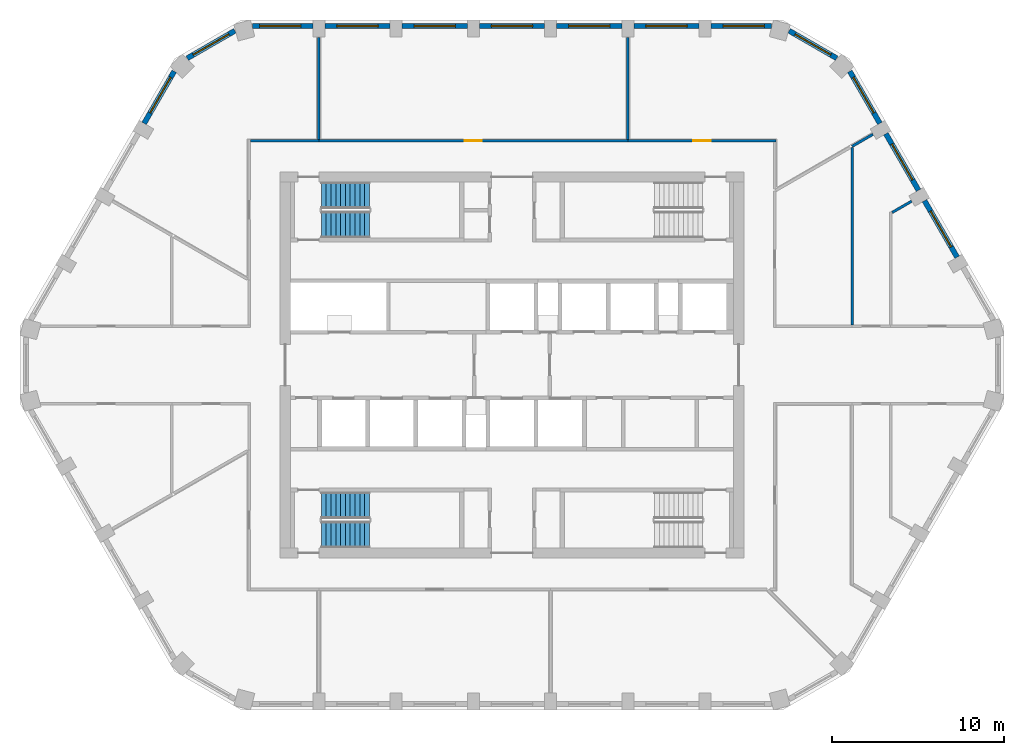
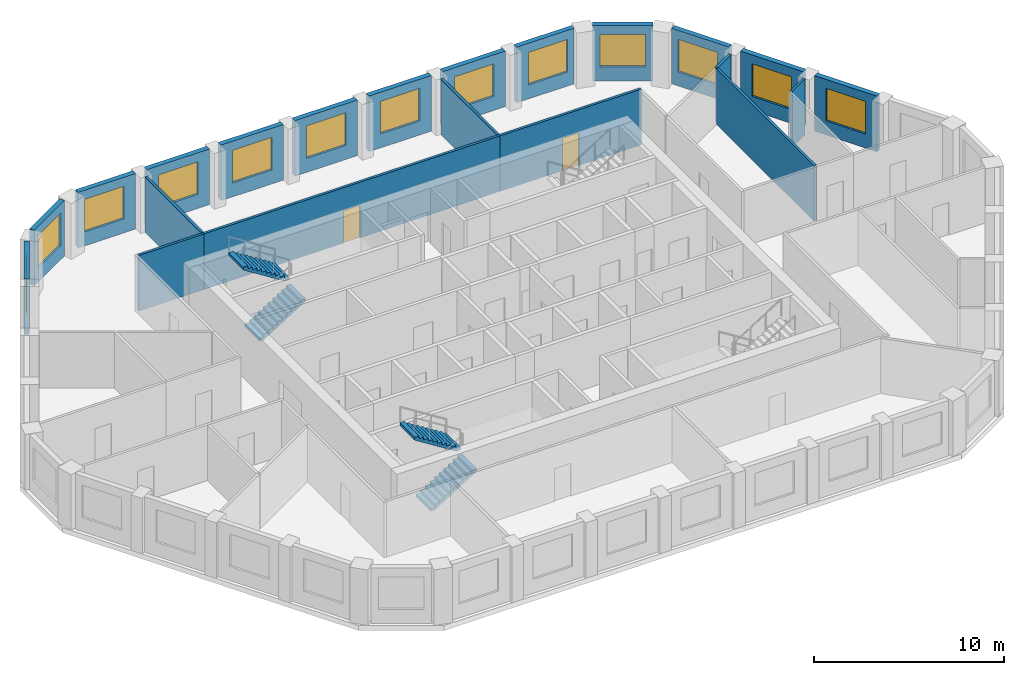
# One storey, part 6 of 11: 21 walls, 13 windows, 4 stair flights, 2 doors, 15 openings, 2 elements without a shape of their own.
"""IFC4 building model written with IfcOpenShell, lengths in metres."""

from ifc_helpers import new_model, si_unit, direction, frame, frame_2d, origin, place, context, subcontext, project, spatial, polyline, rectangle, outline, extrude, material, layer, layer_set, type_object, element, fill, aggregate, save


model = new_model("IFC4")

# Units and contexts
model_context = context("Model", 3, precision=1e-05, world=origin(), true_north=direction((0.0, 1.0)))
body_context = subcontext(model_context, "Body", "Model", "MODEL_VIEW")
ifc_project = project(units=[si_unit("LENGTHUNIT", "METRE"), si_unit("AREAUNIT", "SQUARE_METRE"), si_unit("VOLUMEUNIT", "CUBIC_METRE"), si_unit("PLANEANGLEUNIT", "RADIAN"), si_unit("MASSUNIT", "GRAM", prefix="KILO")], contexts=[model_context])

# Site, building, storey
site_placement = place(None, origin())
site = spatial("IfcSite", under=ifc_project, at=site_placement, CompositionType="ELEMENT")
building_placement = place(site_placement, origin())
building = spatial("IfcBuilding", under=site, at=building_placement, Name="Dhurran Vertical Campus", CompositionType="ELEMENT")
storey_placement = place(building_placement, frame((0.0, 0.0, 274.199951171875)))
storey = spatial("IfcBuildingStorey", under=building, at=storey_placement, Name="L68", CompositionType="ELEMENT", Elevation=274.199951171875)

# Wall, opening, window
ifc_material_1 = material(Name="Precast concrete C50/60", Category="concrete")
ifc_layer_1 = layer(ifc_material_1, 0.300048828125)
ifc_layer_set_1 = layer_set([ifc_layer_1], Name="Precast concrete C50/60")
wall_type_1 = type_object("IfcWallType", Name="Precast spandrel wall 300", PredefinedType="SOLIDWALL", material=ifc_layer_set_1)
wall_1_placement = place(storey_placement, frame((25.918701171875, 6.275634765625, 0.0), z_axis=(0.0, 0.0, 1.0), x_axis=(-0.499982058975, 0.866035761792, 0.0)))
wall_1 = element("IfcWall", 1, at=wall_1_placement, inside=storey, type_object=wall_type_1, Name="EW1 L68.14", PredefinedType="SOLIDWALL", context=body_context, shape_type="SweptSolid", body=[
    extrude(rectangle(XDim=3.799072265625, YDim=0.300048828125, at=frame_2d((1.8994140625, 0.0))), origin(), (0.0, 0.0, 1.0), 3.574951171875),
])
opening_1_placement = place(wall_1_placement, frame((0.699462890625, 0.0, 0.89990234375)))
opening_1 = element("IfcOpeningElement", 2, at=opening_1_placement, cuts=wall_1, Name="Opening WT1", PredefinedType="OPENING", context=body_context, shape_type="SweptSolid", body=[
    extrude(rectangle(XDim=2.39990234375, YDim=2.10009765625, at=frame_2d((1.199951171875, 1.050048828125))), frame((0.0, 0.159912109375, 0.0), z_axis=(0.0, -1.0, 0.0), x_axis=(1.0, 0.0, 0.0)), (0.0, 0.0, 1.0), 0.320068359375),
])
ifc_material_2 = material(Name="Aluminium frame with solar-control glass", Category="aluminium")
window_type = type_object("IfcWindowType", Name="Punched window 2400 x 2100", PartitioningType="SINGLE_PANEL", PredefinedType="WINDOW", material=ifc_material_2)
window_1_placement = place(opening_1_placement, origin())
window_1 = element("IfcWindow", 3, at=window_1_placement, inside=storey, type_object=window_type, Name="WT1 L68.14", OverallHeight=2.10009765625, OverallWidth=2.39990234375, PartitioningType="SINGLE_PANEL", PredefinedType="WINDOW", context=body_context, shape_type="SweptSolid", body=[
    extrude(rectangle(XDim=2.39990234375, YDim=2.10009765625, at=frame_2d((1.199951171875, 1.050048828125))), frame((0.0, 0.030029296875, 0.0), z_axis=(0.0, -1.0, 0.0), x_axis=(1.0, 0.0, 0.0)), (0.0, 0.0, 1.0), 0.06005859375),
])
fill(opening_1, window_1)

wall_2_placement = place(storey_placement, frame((23.668701171875, 10.1728515625, 0.0), z_axis=(0.0, 0.0, 1.0), x_axis=(-0.499982058975, 0.866035761792, 0.0)))
wall_2 = element("IfcWall", 4, at=wall_2_placement, inside=storey, type_object=wall_type_1, Name="EW1 L68.15", PredefinedType="SOLIDWALL", context=body_context, shape_type="SweptSolid", body=[
    extrude(rectangle(XDim=3.799072265625, YDim=0.300048828125, at=frame_2d((1.8994140625, 0.0))), origin(), (0.0, 0.0, 1.0), 3.574951171875),
])
opening_2_placement = place(wall_2_placement, frame((0.699462890625, 0.0, 0.89990234375)))
opening_2 = element("IfcOpeningElement", 5, at=opening_2_placement, cuts=wall_2, Name="Opening WT1", PredefinedType="OPENING", context=body_context, shape_type="SweptSolid", body=[
    extrude(rectangle(XDim=2.39990234375, YDim=2.10009765625, at=frame_2d((1.199951171875, 1.050048828125))), frame((0.0, 0.159912109375, 0.0), z_axis=(0.0, -1.0, 0.0), x_axis=(1.0, 0.0, 0.0)), (0.0, 0.0, 1.0), 0.320068359375),
])
window_2_placement = place(opening_2_placement, origin())
window_2 = element("IfcWindow", 6, at=window_2_placement, inside=storey, type_object=window_type, Name="WT1 L68.15", OverallHeight=2.10009765625, OverallWidth=2.39990234375, PartitioningType="SINGLE_PANEL", PredefinedType="WINDOW", context=body_context, shape_type="SweptSolid", body=[
    extrude(rectangle(XDim=2.39990234375, YDim=2.10009765625, at=frame_2d((1.199951171875, 1.050048828125))), frame((0.0, 0.030029296875, 0.0), z_axis=(0.0, -1.0, 0.0), x_axis=(1.0, 0.0, 0.0)), (0.0, 0.0, 1.0), 0.06005859375),
])
fill(opening_2, window_2)

wall_3_placement = place(storey_placement, frame((21.418701171875, 14.06982421875, 0.0), z_axis=(0.0, 0.0, 1.0), x_axis=(-0.499960102815, 0.866048437209, 0.0)))
wall_3 = element("IfcWall", 7, at=wall_3_placement, inside=storey, type_object=wall_type_1, Name="EW1 L68.16", PredefinedType="SOLIDWALL", context=body_context, shape_type="SweptSolid", body=[
    extrude(rectangle(XDim=3.497802734375, YDim=0.300048828125, at=frame_2d((1.7490234375, 0.0))), origin(), (0.0, 0.0, 1.0), 3.574951171875),
])
opening_3_placement = place(wall_3_placement, frame((0.699462890625, 0.0, 0.89990234375)))
opening_3 = element("IfcOpeningElement", 8, at=opening_3_placement, cuts=wall_3, Name="Opening WT1", PredefinedType="OPENING", context=body_context, shape_type="SweptSolid", body=[
    extrude(rectangle(XDim=2.39990234375, YDim=2.10009765625, at=frame_2d((1.199951171875, 1.050048828125))), frame((0.0, 0.159912109375, 0.0), z_axis=(0.0, -1.0, 0.0), x_axis=(1.0, 0.0, 0.0)), (0.0, 0.0, 1.0), 0.320068359375),
])
window_3_placement = place(opening_3_placement, origin())
window_3 = element("IfcWindow", 9, at=window_3_placement, inside=storey, type_object=window_type, Name="WT1 L68.16", OverallHeight=2.10009765625, OverallWidth=2.39990234375, PartitioningType="SINGLE_PANEL", PredefinedType="WINDOW", context=body_context, shape_type="SweptSolid", body=[
    extrude(rectangle(XDim=2.39990234375, YDim=2.10009765625, at=frame_2d((1.199951171875, 1.050048828125))), frame((0.0, 0.030029296875, 0.0), z_axis=(0.0, -1.0, 0.0), x_axis=(1.0, 0.0, 0.0)), (0.0, 0.0, 1.0), 0.06005859375),
])
fill(opening_3, window_3)

wall_4_placement = place(storey_placement, frame((18.90771484375, 17.861328125, 0.0), z_axis=(0.0, 0.0, 1.0), x_axis=(-0.866025316205, 0.500000151692, 0.0)))
wall_4 = element("IfcWall", 10, at=wall_4_placement, inside=storey, type_object=wall_type_1, Name="EW1 L68.17", PredefinedType="SOLIDWALL", context=body_context, shape_type="SweptSolid", body=[
    extrude(rectangle(XDim=3.1962890625, YDim=0.300048828125, at=frame_2d((1.59814453125, 0.0))), origin(), (0.0, 0.0, 1.0), 3.574951171875),
])
opening_4_placement = place(wall_4_placement, frame((0.398193359375, 0.0, 0.89990234375)))
opening_4 = element("IfcOpeningElement", 11, at=opening_4_placement, cuts=wall_4, Name="Opening WT1", PredefinedType="OPENING", context=body_context, shape_type="SweptSolid", body=[
    extrude(rectangle(XDim=2.39990234375, YDim=2.10009765625, at=frame_2d((1.199951171875, 1.050048828125))), frame((0.0, 0.159912109375, 0.0), z_axis=(0.0, -1.0, 0.0), x_axis=(1.0, 0.0, 0.0)), (0.0, 0.0, 1.0), 0.320068359375),
])
window_4_placement = place(opening_4_placement, origin())
window_4 = element("IfcWindow", 12, at=window_4_placement, inside=storey, type_object=window_type, Name="WT1 L68.17", OverallHeight=2.10009765625, OverallWidth=2.39990234375, PartitioningType="SINGLE_PANEL", PredefinedType="WINDOW", context=body_context, shape_type="SweptSolid", body=[
    extrude(rectangle(XDim=2.39990234375, YDim=2.10009765625, at=frame_2d((1.199951171875, 1.050048828125))), frame((0.0, 0.030029296875, 0.0), z_axis=(0.0, -1.0, 0.0), x_axis=(1.0, 0.0, 0.0)), (0.0, 0.0, 1.0), 0.06005859375),
])
fill(opening_4, window_4)

wall_5_placement = place(storey_placement, frame((15.09814453125, 19.738525390625, 0.0), z_axis=(0.0, 0.0, 1.0), x_axis=(-1.0, 0.0, 0.0)))
wall_5 = element("IfcWall", 13, at=wall_5_placement, inside=storey, type_object=wall_type_1, Name="EW1 L68.18", PredefinedType="SOLIDWALL", context=body_context, shape_type="SweptSolid", body=[
    extrude(rectangle(XDim=3.49755859375, YDim=0.300048828125, at=frame_2d((1.748779296875, 0.0))), origin(), (0.0, 0.0, 1.0), 3.574951171875),
])
opening_5_placement = place(wall_5_placement, frame((0.398193359375, 0.0, 0.89990234375)))
opening_5 = element("IfcOpeningElement", 14, at=opening_5_placement, cuts=wall_5, Name="Opening WT1", PredefinedType="OPENING", context=body_context, shape_type="SweptSolid", body=[
    extrude(rectangle(XDim=2.39990234375, YDim=2.10009765625, at=frame_2d((1.199951171875, 1.050048828125))), frame((0.0, 0.159912109375, 0.0), z_axis=(0.0, -1.0, 0.0), x_axis=(1.0, 0.0, 0.0)), (0.0, 0.0, 1.0), 0.320068359375),
])
window_5_placement = place(opening_5_placement, origin())
window_5 = element("IfcWindow", 15, at=window_5_placement, inside=storey, type_object=window_type, Name="WT1 L68.18", OverallHeight=2.10009765625, OverallWidth=2.39990234375, PartitioningType="SINGLE_PANEL", PredefinedType="WINDOW", context=body_context, shape_type="SweptSolid", body=[
    extrude(rectangle(XDim=2.39990234375, YDim=2.10009765625, at=frame_2d((1.199951171875, 1.050048828125))), frame((0.0, 0.030029296875, 0.0), z_axis=(0.0, -1.0, 0.0), x_axis=(1.0, 0.0, 0.0)), (0.0, 0.0, 1.0), 0.06005859375),
])
fill(opening_5, window_5)

wall_6_placement = place(storey_placement, frame((10.8994140625, 19.738525390625, 0.0), z_axis=(0.0, 0.0, 1.0), x_axis=(-1.0, 0.0, 0.0)))
wall_6 = element("IfcWall", 16, at=wall_6_placement, inside=storey, type_object=wall_type_1, Name="EW1 L68.19", PredefinedType="SOLIDWALL", context=body_context, shape_type="SweptSolid", body=[
    extrude(rectangle(XDim=3.798828125, YDim=0.300048828125, at=frame_2d((1.8994140625, 0.0))), origin(), (0.0, 0.0, 1.0), 3.574951171875),
])
opening_6_placement = place(wall_6_placement, frame((0.699462890625, 0.0, 0.89990234375)))
opening_6 = element("IfcOpeningElement", 17, at=opening_6_placement, cuts=wall_6, Name="Opening WT1", PredefinedType="OPENING", context=body_context, shape_type="SweptSolid", body=[
    extrude(rectangle(XDim=2.39990234375, YDim=2.10009765625, at=frame_2d((1.199951171875, 1.050048828125))), frame((0.0, 0.159912109375, 0.0), z_axis=(0.0, -1.0, 0.0), x_axis=(1.0, 0.0, 0.0)), (0.0, 0.0, 1.0), 0.320068359375),
])
window_6_placement = place(opening_6_placement, origin())
window_6 = element("IfcWindow", 18, at=window_6_placement, inside=storey, type_object=window_type, Name="WT1 L68.19", OverallHeight=2.10009765625, OverallWidth=2.39990234375, PartitioningType="SINGLE_PANEL", PredefinedType="WINDOW", context=body_context, shape_type="SweptSolid", body=[
    extrude(rectangle(XDim=2.39990234375, YDim=2.10009765625, at=frame_2d((1.199951171875, 1.050048828125))), frame((0.0, 0.030029296875, 0.0), z_axis=(0.0, -1.0, 0.0), x_axis=(1.0, 0.0, 0.0)), (0.0, 0.0, 1.0), 0.06005859375),
])
fill(opening_6, window_6)

wall_7_placement = place(storey_placement, frame((6.3994140625, 19.738525390625, 0.0), z_axis=(0.0, 0.0, 1.0), x_axis=(-1.0, 0.0, 0.0)))
wall_7 = element("IfcWall", 19, at=wall_7_placement, inside=storey, type_object=wall_type_1, Name="EW1 L68.20", PredefinedType="SOLIDWALL", context=body_context, shape_type="SweptSolid", body=[
    extrude(rectangle(XDim=3.798828125, YDim=0.300048828125, at=frame_2d((1.8994140625, 0.0))), origin(), (0.0, 0.0, 1.0), 3.574951171875),
])
opening_7_placement = place(wall_7_placement, frame((0.699462890625, 0.0, 0.89990234375)))
opening_7 = element("IfcOpeningElement", 20, at=opening_7_placement, cuts=wall_7, Name="Opening WT1", PredefinedType="OPENING", context=body_context, shape_type="SweptSolid", body=[
    extrude(rectangle(XDim=2.39990234375, YDim=2.10009765625, at=frame_2d((1.199951171875, 1.050048828125))), frame((0.0, 0.159912109375, 0.0), z_axis=(0.0, -1.0, 0.0), x_axis=(1.0, 0.0, 0.0)), (0.0, 0.0, 1.0), 0.320068359375),
])
window_7_placement = place(opening_7_placement, origin())
window_7 = element("IfcWindow", 21, at=window_7_placement, inside=storey, type_object=window_type, Name="WT1 L68.20", OverallHeight=2.10009765625, OverallWidth=2.39990234375, PartitioningType="SINGLE_PANEL", PredefinedType="WINDOW", context=body_context, shape_type="SweptSolid", body=[
    extrude(rectangle(XDim=2.39990234375, YDim=2.10009765625, at=frame_2d((1.199951171875, 1.050048828125))), frame((0.0, 0.030029296875, 0.0), z_axis=(0.0, -1.0, 0.0), x_axis=(1.0, 0.0, 0.0)), (0.0, 0.0, 1.0), 0.06005859375),
])
fill(opening_7, window_7)

wall_8_placement = place(storey_placement, frame((1.8994140625, 19.738525390625, 0.0), z_axis=(0.0, 0.0, 1.0), x_axis=(-1.0, 0.0, 0.0)))
wall_8 = element("IfcWall", 22, at=wall_8_placement, inside=storey, type_object=wall_type_1, Name="EW1 L68.21", PredefinedType="SOLIDWALL", context=body_context, shape_type="SweptSolid", body=[
    extrude(rectangle(XDim=3.798828125, YDim=0.300048828125, at=frame_2d((1.8994140625, 0.0))), origin(), (0.0, 0.0, 1.0), 3.574951171875),
])
opening_8_placement = place(wall_8_placement, frame((0.699462890625, 0.0, 0.89990234375)))
opening_8 = element("IfcOpeningElement", 23, at=opening_8_placement, cuts=wall_8, Name="Opening WT1", PredefinedType="OPENING", context=body_context, shape_type="SweptSolid", body=[
    extrude(rectangle(XDim=2.39990234375, YDim=2.10009765625, at=frame_2d((1.199951171875, 1.050048828125))), frame((0.0, 0.159912109375, 0.0), z_axis=(0.0, -1.0, 0.0), x_axis=(1.0, 0.0, 0.0)), (0.0, 0.0, 1.0), 0.320068359375),
])
window_8_placement = place(opening_8_placement, origin())
window_8 = element("IfcWindow", 24, at=window_8_placement, inside=storey, type_object=window_type, Name="WT1 L68.21", OverallHeight=2.10009765625, OverallWidth=2.39990234375, PartitioningType="SINGLE_PANEL", PredefinedType="WINDOW", context=body_context, shape_type="SweptSolid", body=[
    extrude(rectangle(XDim=2.39990234375, YDim=2.10009765625, at=frame_2d((1.199951171875, 1.050048828125))), frame((0.0, 0.030029296875, 0.0), z_axis=(0.0, -1.0, 0.0), x_axis=(1.0, 0.0, 0.0)), (0.0, 0.0, 1.0), 0.06005859375),
])
fill(opening_8, window_8)

wall_9_placement = place(storey_placement, frame((-2.6005859375, 19.738525390625, 0.0), z_axis=(0.0, 0.0, 1.0), x_axis=(-1.0, 0.0, 0.0)))
wall_9 = element("IfcWall", 25, at=wall_9_placement, inside=storey, type_object=wall_type_1, Name="EW1 L68.22", PredefinedType="SOLIDWALL", context=body_context, shape_type="SweptSolid", body=[
    extrude(rectangle(XDim=3.798828125, YDim=0.300048828125, at=frame_2d((1.8994140625, 0.0))), origin(), (0.0, 0.0, 1.0), 3.574951171875),
])
opening_9_placement = place(wall_9_placement, frame((0.699462890625, 0.0, 0.89990234375)))
opening_9 = element("IfcOpeningElement", 26, at=opening_9_placement, cuts=wall_9, Name="Opening WT1", PredefinedType="OPENING", context=body_context, shape_type="SweptSolid", body=[
    extrude(rectangle(XDim=2.39990234375, YDim=2.10009765625, at=frame_2d((1.199951171875, 1.050048828125))), frame((0.0, 0.159912109375, 0.0), z_axis=(0.0, -1.0, 0.0), x_axis=(1.0, 0.0, 0.0)), (0.0, 0.0, 1.0), 0.320068359375),
])
window_9_placement = place(opening_9_placement, origin())
window_9 = element("IfcWindow", 27, at=window_9_placement, inside=storey, type_object=window_type, Name="WT1 L68.22", OverallHeight=2.10009765625, OverallWidth=2.39990234375, PartitioningType="SINGLE_PANEL", PredefinedType="WINDOW", context=body_context, shape_type="SweptSolid", body=[
    extrude(rectangle(XDim=2.39990234375, YDim=2.10009765625, at=frame_2d((1.199951171875, 1.050048828125))), frame((0.0, 0.030029296875, 0.0), z_axis=(0.0, -1.0, 0.0), x_axis=(1.0, 0.0, 0.0)), (0.0, 0.0, 1.0), 0.06005859375),
])
fill(opening_9, window_9)

wall_10_placement = place(storey_placement, frame((-7.1005859375, 19.738525390625, 0.0), z_axis=(0.0, 0.0, 1.0), x_axis=(-1.0, 0.0, 0.0)))
wall_10 = element("IfcWall", 28, at=wall_10_placement, inside=storey, type_object=wall_type_1, Name="EW1 L68.23", PredefinedType="SOLIDWALL", context=body_context, shape_type="SweptSolid", body=[
    extrude(rectangle(XDim=3.798828125, YDim=0.300048828125, at=frame_2d((1.8994140625, 0.0))), origin(), (0.0, 0.0, 1.0), 3.574951171875),
])
opening_10_placement = place(wall_10_placement, frame((0.699462890625, 0.0, 0.89990234375)))
opening_10 = element("IfcOpeningElement", 29, at=opening_10_placement, cuts=wall_10, Name="Opening WT1", PredefinedType="OPENING", context=body_context, shape_type="SweptSolid", body=[
    extrude(rectangle(XDim=2.39990234375, YDim=2.10009765625, at=frame_2d((1.199951171875, 1.050048828125))), frame((0.0, 0.159912109375, 0.0), z_axis=(0.0, -1.0, 0.0), x_axis=(1.0, 0.0, 0.0)), (0.0, 0.0, 1.0), 0.320068359375),
])
window_10_placement = place(opening_10_placement, origin())
window_10 = element("IfcWindow", 30, at=window_10_placement, inside=storey, type_object=window_type, Name="WT1 L68.23", OverallHeight=2.10009765625, OverallWidth=2.39990234375, PartitioningType="SINGLE_PANEL", PredefinedType="WINDOW", context=body_context, shape_type="SweptSolid", body=[
    extrude(rectangle(XDim=2.39990234375, YDim=2.10009765625, at=frame_2d((1.199951171875, 1.050048828125))), frame((0.0, 0.030029296875, 0.0), z_axis=(0.0, -1.0, 0.0), x_axis=(1.0, 0.0, 0.0)), (0.0, 0.0, 1.0), 0.06005859375),
])
fill(opening_10, window_10)

wall_11_placement = place(storey_placement, frame((-11.6005859375, 19.738525390625, 0.0), z_axis=(0.0, 0.0, 1.0), x_axis=(-1.0, 0.0, 0.0)))
wall_11 = element("IfcWall", 31, at=wall_11_placement, inside=storey, type_object=wall_type_1, Name="EW1 L68.24", PredefinedType="SOLIDWALL", context=body_context, shape_type="SweptSolid", body=[
    extrude(rectangle(XDim=3.49755859375, YDim=0.300048828125, at=frame_2d((1.748779296875, 0.0))), origin(), (0.0, 0.0, 1.0), 3.574951171875),
])
opening_11_placement = place(wall_11_placement, frame((0.699462890625, 0.0, 0.89990234375)))
opening_11 = element("IfcOpeningElement", 32, at=opening_11_placement, cuts=wall_11, Name="Opening WT1", PredefinedType="OPENING", context=body_context, shape_type="SweptSolid", body=[
    extrude(rectangle(XDim=2.39990234375, YDim=2.10009765625, at=frame_2d((1.199951171875, 1.050048828125))), frame((0.0, 0.159912109375, 0.0), z_axis=(0.0, -1.0, 0.0), x_axis=(1.0, 0.0, 0.0)), (0.0, 0.0, 1.0), 0.320068359375),
])
window_11_placement = place(opening_11_placement, origin())
window_11 = element("IfcWindow", 33, at=window_11_placement, inside=storey, type_object=window_type, Name="WT1 L68.24", OverallHeight=2.10009765625, OverallWidth=2.39990234375, PartitioningType="SINGLE_PANEL", PredefinedType="WINDOW", context=body_context, shape_type="SweptSolid", body=[
    extrude(rectangle(XDim=2.39990234375, YDim=2.10009765625, at=frame_2d((1.199951171875, 1.050048828125))), frame((0.0, 0.030029296875, 0.0), z_axis=(0.0, -1.0, 0.0), x_axis=(1.0, 0.0, 0.0)), (0.0, 0.0, 1.0), 0.06005859375),
])
fill(opening_11, window_11)

wall_12_placement = place(storey_placement, frame((-16.1396484375, 19.45947265625, 0.0), z_axis=(0.0, 0.0, 1.0), x_axis=(-0.866025316205, -0.500000151692, 0.0)))
wall_12 = element("IfcWall", 34, at=wall_12_placement, inside=storey, type_object=wall_type_1, Name="EW1 L68.25", PredefinedType="SOLIDWALL", context=body_context, shape_type="SweptSolid", body=[
    extrude(rectangle(XDim=3.1962890625, YDim=0.300048828125, at=frame_2d((1.59814453125, 0.0))), origin(), (0.0, 0.0, 1.0), 3.574951171875),
])
opening_12_placement = place(wall_12_placement, frame((0.398193359375, 0.0, 0.89990234375)))
opening_12 = element("IfcOpeningElement", 35, at=opening_12_placement, cuts=wall_12, Name="Opening WT1", PredefinedType="OPENING", context=body_context, shape_type="SweptSolid", body=[
    extrude(rectangle(XDim=2.39990234375, YDim=2.10009765625, at=frame_2d((1.199951171875, 1.050048828125))), frame((0.0, 0.159912109375, 0.0), z_axis=(0.0, -1.0, 0.0), x_axis=(1.0, 0.0, 0.0)), (0.0, 0.0, 1.0), 0.320068359375),
])
window_12_placement = place(opening_12_placement, origin())
window_12 = element("IfcWindow", 36, at=window_12_placement, inside=storey, type_object=window_type, Name="WT1 L68.25", OverallHeight=2.10009765625, OverallWidth=2.39990234375, PartitioningType="SINGLE_PANEL", PredefinedType="WINDOW", context=body_context, shape_type="SweptSolid", body=[
    extrude(rectangle(XDim=2.39990234375, YDim=2.10009765625, at=frame_2d((1.199951171875, 1.050048828125))), frame((0.0, 0.030029296875, 0.0), z_axis=(0.0, -1.0, 0.0), x_axis=(1.0, 0.0, 0.0)), (0.0, 0.0, 1.0), 0.06005859375),
])
fill(opening_12, window_12)

wall_13_placement = place(storey_placement, frame((-19.669921875, 17.09912109375, 0.0), z_axis=(0.0, 0.0, 1.0), x_axis=(-0.499960102815, -0.866048437209, 0.0)))
wall_13 = element("IfcWall", 37, at=wall_13_placement, inside=storey, type_object=wall_type_1, Name="EW1 L68.26", PredefinedType="SOLIDWALL", context=body_context, shape_type="SweptSolid", body=[
    extrude(rectangle(XDim=3.497802734375, YDim=0.300048828125, at=frame_2d((1.7490234375, 0.0))), origin(), (0.0, 0.0, 1.0), 3.574951171875),
])
opening_13_placement = place(wall_13_placement, frame((0.398193359375, 0.0, 0.89990234375)))
opening_13 = element("IfcOpeningElement", 38, at=opening_13_placement, cuts=wall_13, Name="Opening WT1", PredefinedType="OPENING", context=body_context, shape_type="SweptSolid", body=[
    extrude(rectangle(XDim=2.39990234375, YDim=2.10009765625, at=frame_2d((1.199951171875, 1.050048828125))), frame((0.0, 0.159912109375, 0.0), z_axis=(0.0, -1.0, 0.0), x_axis=(1.0, 0.0, 0.0)), (0.0, 0.0, 1.0), 0.320068359375),
])
window_13_placement = place(opening_13_placement, origin())
window_13 = element("IfcWindow", 39, at=window_13_placement, inside=storey, type_object=window_type, Name="WT1 L68.26", OverallHeight=2.10009765625, OverallWidth=2.39990234375, PartitioningType="SINGLE_PANEL", PredefinedType="WINDOW", context=body_context, shape_type="SweptSolid", body=[
    extrude(rectangle(XDim=2.39990234375, YDim=2.10009765625, at=frame_2d((1.199951171875, 1.050048828125))), frame((0.0, 0.030029296875, 0.0), z_axis=(0.0, -1.0, 0.0), x_axis=(1.0, 0.0, 0.0)), (0.0, 0.0, 1.0), 0.06005859375),
])
fill(opening_13, window_13)

# Wall
ifc_material_3 = material(Name="Gypsum board corridor wall on steel studs", Category="steel")
ifc_layer_2 = layer(ifc_material_3, 0.14990234375)
ifc_layer_set_2 = layer_set([ifc_layer_2], Name="Gypsum board corridor wall on steel studs")
wall_type_2 = type_object("IfcWallType", Name="fl-CW-150 corridor wall", PredefinedType="PARTITIONING", material=ifc_layer_set_2)
wall_14_placement = place(storey_placement, frame((-11.25, 13.050048828125, 0.0), z_axis=(0.0, 0.0, 1.0), x_axis=(-1.0, 0.0, 0.0)))
element("IfcWall", 40, at=wall_14_placement, inside=storey, type_object=wall_type_2, Name="Partition 68-16", PredefinedType="PARTITIONING", context=body_context, shape_type="SweptSolid", body=[
    extrude(rectangle(XDim=3.97509765625, YDim=0.14990234375, at=frame_2d((1.987548828125, 0.0))), origin(), (0.0, 0.0, 1.0), 3.574951171875),
])

# Wall, opening, door
wall_15_placement = place(storey_placement, frame((6.75, 13.050048828125, 0.0), z_axis=(0.0, 0.0, 1.0), x_axis=(-1.0, 0.0, 0.0)))
wall_15 = element("IfcWall", 41, at=wall_15_placement, inside=storey, type_object=wall_type_2, Name="Partition 68-20", PredefinedType="PARTITIONING", context=body_context, shape_type="SweptSolid", body=[
    extrude(rectangle(XDim=18.0, YDim=0.14990234375, at=frame_2d((9.0, 0.0))), origin(), (0.0, 0.0, 1.0), 3.574951171875),
])
opening_14_placement = place(wall_15_placement, frame((8.5, 0.0, 0.0)))
opening_14 = element("IfcOpeningElement", 42, at=opening_14_placement, cuts=wall_15, Name="Opening T20.08", PredefinedType="OPENING", context=body_context, shape_type="SweptSolid", body=[
    extrude(rectangle(XDim=1.0, YDim=2.10009765625, at=frame_2d((0.5, 1.050048828125))), frame((0.0, 0.0849609375, 0.0), z_axis=(0.0, -1.0, 0.0), x_axis=(1.0, 0.0, 0.0)), (0.0, 0.0, 1.0), 0.169921875),
])
ifc_material_4 = material(Name="Solid-core timber door set, fire-rated", Category="wood")
door_type = type_object("IfcDoorType", Name="fl-D-1000x2100", OperationType="SINGLE_SWING_LEFT", PredefinedType="DOOR", material=ifc_material_4)
door_1_placement = place(opening_14_placement, origin())
door_1 = element("IfcDoor", 43, at=door_1_placement, inside=storey, type_object=door_type, Name="Door 68.08", OperationType="SINGLE_SWING_RIGHT", OverallHeight=2.10009765625, OverallWidth=1.0, PredefinedType="DOOR", context=body_context, shape_type="SweptSolid", body=[
    extrude(rectangle(XDim=1.0, YDim=2.10009765625, at=frame_2d((0.5, 1.050048828125))), frame((0.0, 0.02490234375, 0.0), z_axis=(0.0, -1.0, 0.0), x_axis=(1.0, 0.0, 0.0)), (0.0, 0.0, 1.0), 0.050048828125),
])
fill(opening_14, door_1)

wall_16_placement = place(storey_placement, frame((15.375, 13.050048828125, 0.0), z_axis=(0.0, 0.0, 1.0), x_axis=(-1.0, 0.0, 0.0)))
wall_16 = element("IfcWall", 44, at=wall_16_placement, inside=storey, type_object=wall_type_2, Name="Partition 68-24", PredefinedType="PARTITIONING", context=body_context, shape_type="SweptSolid", body=[
    extrude(rectangle(XDim=8.625, YDim=0.14990234375, at=frame_2d((4.3125, 0.0))), origin(), (0.0, 0.0, 1.0), 3.574951171875),
])
opening_15_placement = place(wall_16_placement, frame((3.8125, 0.0, 0.0)))
opening_15 = element("IfcOpeningElement", 45, at=opening_15_placement, cuts=wall_16, Name="Opening T20.10", PredefinedType="OPENING", context=body_context, shape_type="SweptSolid", body=[
    extrude(rectangle(XDim=1.0, YDim=2.10009765625, at=frame_2d((0.5, 1.050048828125))), frame((0.0, 0.0849609375, 0.0), z_axis=(0.0, -1.0, 0.0), x_axis=(1.0, 0.0, 0.0)), (0.0, 0.0, 1.0), 0.169921875),
])
door_2_placement = place(opening_15_placement, origin())
door_2 = element("IfcDoor", 46, at=door_2_placement, inside=storey, type_object=door_type, Name="Door 68.10", OperationType="SINGLE_SWING_RIGHT", OverallHeight=2.10009765625, OverallWidth=1.0, PredefinedType="DOOR", context=body_context, shape_type="SweptSolid", body=[
    extrude(rectangle(XDim=1.0, YDim=2.10009765625, at=frame_2d((0.5, 1.050048828125))), frame((0.0, 0.02490234375, 0.0), z_axis=(0.0, -1.0, 0.0), x_axis=(1.0, 0.0, 0.0)), (0.0, 0.0, 1.0), 0.050048828125),
])
fill(opening_15, door_2)

# Walls
ifc_material_5 = material(Name="Gypsum board partition on steel studs", Category="steel")
ifc_layer_3 = layer(ifc_material_5, 0.14990234375)
ifc_layer_set_3 = layer_set([ifc_layer_3], Name="Gypsum board partition on steel studs")
wall_type_3 = type_object("IfcWallType", Name="fl-PW-150 fixed partition", PredefinedType="PARTITIONING", material=ifc_layer_set_3)
for number, where, z_axis, x_axis, name in (
    (47, (-11.25, 19.068603515625, 0.0), (0.0, 0.0, 1.0), (0.0, -1.0, 0.0), "Partition 68-19"),
    (48, (6.75, 19.068603515625, 0.0), (0.0, 0.0, 1.0), (0.0, -1.0, 0.0), "Partition 68-23"),
):
    element("IfcWall", number, at=place(storey_placement, frame(where, z_axis=z_axis, x_axis=x_axis)), inside=storey, type_object=wall_type_3, Name=name, PredefinedType="PARTITIONING", context=body_context, shape_type="SweptSolid", body=[
        extrude(rectangle(XDim=5.943603515625, YDim=0.14990234375, at=frame_2d((2.9716796875, 0.0))), origin(), (0.0, 0.0, 1.0), 3.574951171875),
    ])
wall_17_placement = place(storey_placement, frame((19.800048828125, 12.655029296875, 0.0), z_axis=(0.0, 0.0, 1.0), x_axis=(0.0, -1.0, 0.0)))
element("IfcWall", 49, at=wall_17_placement, inside=storey, type_object=wall_type_3, Name="Partition 68-36", PredefinedType="PARTITIONING", context=body_context, shape_type="SweptSolid", body=[
    extrude(rectangle(XDim=10.330078125, YDim=0.14990234375, at=frame_2d((5.1650390625, 0.0))), origin(), (0.0, 0.0, 1.0), 3.574951171875),
])
wall_18_placement = place(storey_placement, frame((21.013916015625, 13.43115234375, 0.0), z_axis=(0.0, 0.0, 1.0), x_axis=(-0.865918715181, -0.500184744569, 0.0)))
element("IfcWall", 50, at=wall_18_placement, inside=storey, type_object=wall_type_3, Name="Partition 68-38", PredefinedType="PARTITIONING", context=body_context, shape_type="SweptSolid", body=[
    extrude(rectangle(XDim=1.40185546875, YDim=0.14990234375, at=frame_2d((0.700927734375, 0.0))), origin(), (0.0, 0.0, 1.0), 3.574951171875),
])
wall_19_placement = place(storey_placement, frame((23.263916015625, 9.5341796875, 0.0), z_axis=(0.0, 0.0, 1.0), x_axis=(-0.865960725898, -0.500112008656, 0.0)))
element("IfcWall", 51, at=wall_19_placement, inside=storey, type_object=wall_type_3, Name="Partition 68-44", PredefinedType="PARTITIONING", context=body_context, shape_type="SweptSolid", body=[
    extrude(rectangle(XDim=1.302001953125, YDim=0.14990234375, at=frame_2d((0.65087890625, 0.0))), origin(), (0.0, 0.0, 1.0), 3.574951171875),
])

# Stair, stair flights
ifc_material_6 = material(Name="Concrete C40/50", Category="concrete")
stair_type = type_object("IfcStairType", Name="co-ST-CORE", PredefinedType="HALF_TURN_STAIR", material=ifc_material_6)
stair_1_placement = place(storey_placement, origin())
stair_1 = element("IfcStair", 52, at=stair_1_placement, inside=storey, type_object=stair_type, Name="L68 Protected exit stair ST1", PredefinedType="HALF_TURN_STAIR")
ifc_material_7 = material(Name="Concrete C40/50", Category="concrete")
stair_flight_type = type_object("IfcStairFlightType", Name="co-SFL-RC", PredefinedType="STRAIGHT", material=ifc_material_7)
stair_flight_1_placement = place(storey_placement, frame((-11.10009765625, 8.175048828125, 0.0), z_axis=(0.0, 0.0, 1.0), x_axis=(1.0, 0.0, 0.0)))
stair_flight_1 = element("IfcStairFlight", 53, at=stair_flight_1_placement, type_object=stair_flight_type, Name="ST1 flight 1", NumberOfRisers=11, NumberOfTreads=10, PredefinedType="STRAIGHT", RiserHeight=0.177272727, TreadLength=0.28, context=body_context, shape_type="SweptSolid", body=[
    extrude(outline(polyline([(0.0, 0.0), (0.0, 0.17724609375), (0.280029296875, 0.17724609375), (0.280029296875, 0.3544921875), (0.56005859375, 0.3544921875), (0.56005859375, 0.53173828125), (0.840087890625, 0.53173828125), (0.840087890625, 0.708984375), (1.1201171875, 0.708984375), (1.1201171875, 0.886474609375), (1.39990234375, 0.886474609375), (1.39990234375, 1.063720703125), (1.679931640625, 1.063720703125), (1.679931640625, 1.240966796875), (1.9599609375, 1.240966796875), (1.9599609375, 1.418212890625), (2.239990234375, 1.418212890625), (2.239990234375, 1.595458984375), (2.52001953125, 1.595458984375), (2.52001953125, 1.772705078125), (2.800048828125, 1.772705078125), (2.800048828125, 1.949951171875), (2.800048828125, 1.59521484375), (0.2802734375, 0.0), (0.0, 0.0)])), frame((0.0, 0.77490234375, 0.0), z_axis=(0.0, -1.0, 0.0), x_axis=(1.0, 0.0, 0.0)), (0.0, 0.0, 1.0), 1.550048828125),
])
stair_flight_2_placement = place(storey_placement, frame((-8.300048828125, 9.875, 1.949951171875), z_axis=(0.0, 0.0, 1.0), x_axis=(-1.0, 0.0, 0.0)))
stair_flight_2 = element("IfcStairFlight", 54, at=stair_flight_2_placement, type_object=stair_flight_type, Name="ST1 flight 2", NumberOfRisers=11, NumberOfTreads=10, PredefinedType="STRAIGHT", RiserHeight=0.177272727, TreadLength=0.28, context=body_context, shape_type="SweptSolid", body=[
    extrude(outline(polyline([(0.0, 0.0), (0.0, 0.17724609375), (0.280029296875, 0.17724609375), (0.280029296875, 0.3544921875), (0.56005859375, 0.3544921875), (0.56005859375, 0.53173828125), (0.840087890625, 0.53173828125), (0.840087890625, 0.708984375), (1.1201171875, 0.708984375), (1.1201171875, 0.886474609375), (1.39990234375, 0.886474609375), (1.39990234375, 1.063720703125), (1.679931640625, 1.063720703125), (1.679931640625, 1.240966796875), (1.9599609375, 1.240966796875), (1.9599609375, 1.418212890625), (2.239990234375, 1.418212890625), (2.239990234375, 1.595458984375), (2.52001953125, 1.595458984375), (2.52001953125, 1.772705078125), (2.800048828125, 1.772705078125), (2.800048828125, 1.949951171875), (2.800048828125, 1.59521484375), (0.2802734375, 0.0), (0.0, 0.0)])), frame((0.0, 0.77490234375, 0.0), z_axis=(0.0, -1.0, 0.0), x_axis=(1.0, 0.0, 0.0)), (0.0, 0.0, 1.0), 1.550048828125),
])
aggregate(stair_1, [stair_flight_1, stair_flight_2])

stair_2_placement = place(storey_placement, origin())
stair_2 = element("IfcStair", 55, at=stair_2_placement, inside=storey, type_object=stair_type, Name="L68 Protected exit stair ST3", PredefinedType="HALF_TURN_STAIR")
stair_flight_3_placement = place(storey_placement, frame((-11.10009765625, -9.875, 0.0), z_axis=(0.0, 0.0, 1.0), x_axis=(1.0, 0.0, 0.0)))
stair_flight_3 = element("IfcStairFlight", 56, at=stair_flight_3_placement, type_object=stair_flight_type, Name="ST3 flight 1", NumberOfRisers=11, NumberOfTreads=10, PredefinedType="STRAIGHT", RiserHeight=0.177272727, TreadLength=0.28, context=body_context, shape_type="SweptSolid", body=[
    extrude(outline(polyline([(0.0, 0.0), (0.0, 0.17724609375), (0.280029296875, 0.17724609375), (0.280029296875, 0.3544921875), (0.56005859375, 0.3544921875), (0.56005859375, 0.53173828125), (0.840087890625, 0.53173828125), (0.840087890625, 0.708984375), (1.1201171875, 0.708984375), (1.1201171875, 0.886474609375), (1.39990234375, 0.886474609375), (1.39990234375, 1.063720703125), (1.679931640625, 1.063720703125), (1.679931640625, 1.240966796875), (1.9599609375, 1.240966796875), (1.9599609375, 1.418212890625), (2.239990234375, 1.418212890625), (2.239990234375, 1.595458984375), (2.52001953125, 1.595458984375), (2.52001953125, 1.772705078125), (2.800048828125, 1.772705078125), (2.800048828125, 1.949951171875), (2.800048828125, 1.59521484375), (0.2802734375, 0.0), (0.0, 0.0)])), frame((0.0, 0.77490234375, 0.0), z_axis=(0.0, -1.0, 0.0), x_axis=(1.0, 0.0, 0.0)), (0.0, 0.0, 1.0), 1.550048828125),
])
stair_flight_4_placement = place(storey_placement, frame((-8.300048828125, -8.175048828125, 1.949951171875), z_axis=(0.0, 0.0, 1.0), x_axis=(-1.0, 0.0, 0.0)))
stair_flight_4 = element("IfcStairFlight", 57, at=stair_flight_4_placement, type_object=stair_flight_type, Name="ST3 flight 2", NumberOfRisers=11, NumberOfTreads=10, PredefinedType="STRAIGHT", RiserHeight=0.177272727, TreadLength=0.28, context=body_context, shape_type="SweptSolid", body=[
    extrude(outline(polyline([(0.0, 0.0), (0.0, 0.17724609375), (0.280029296875, 0.17724609375), (0.280029296875, 0.3544921875), (0.56005859375, 0.3544921875), (0.56005859375, 0.53173828125), (0.840087890625, 0.53173828125), (0.840087890625, 0.708984375), (1.1201171875, 0.708984375), (1.1201171875, 0.886474609375), (1.39990234375, 0.886474609375), (1.39990234375, 1.063720703125), (1.679931640625, 1.063720703125), (1.679931640625, 1.240966796875), (1.9599609375, 1.240966796875), (1.9599609375, 1.418212890625), (2.239990234375, 1.418212890625), (2.239990234375, 1.595458984375), (2.52001953125, 1.595458984375), (2.52001953125, 1.772705078125), (2.800048828125, 1.772705078125), (2.800048828125, 1.949951171875), (2.800048828125, 1.59521484375), (0.2802734375, 0.0), (0.0, 0.0)])), frame((0.0, 0.77490234375, 0.0), z_axis=(0.0, -1.0, 0.0), x_axis=(1.0, 0.0, 0.0)), (0.0, 0.0, 1.0), 1.550048828125),
])
aggregate(stair_2, [stair_flight_3, stair_flight_4])

save(model, "model.ifc")
